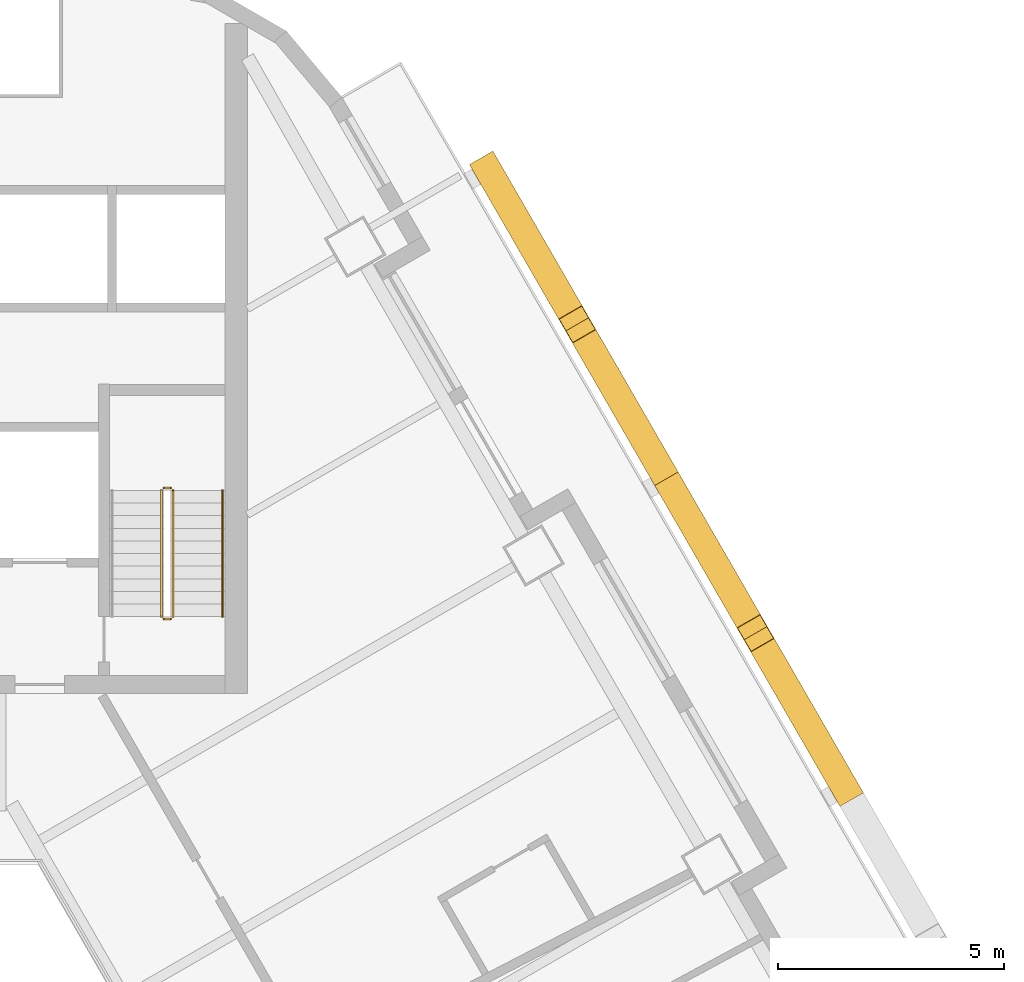
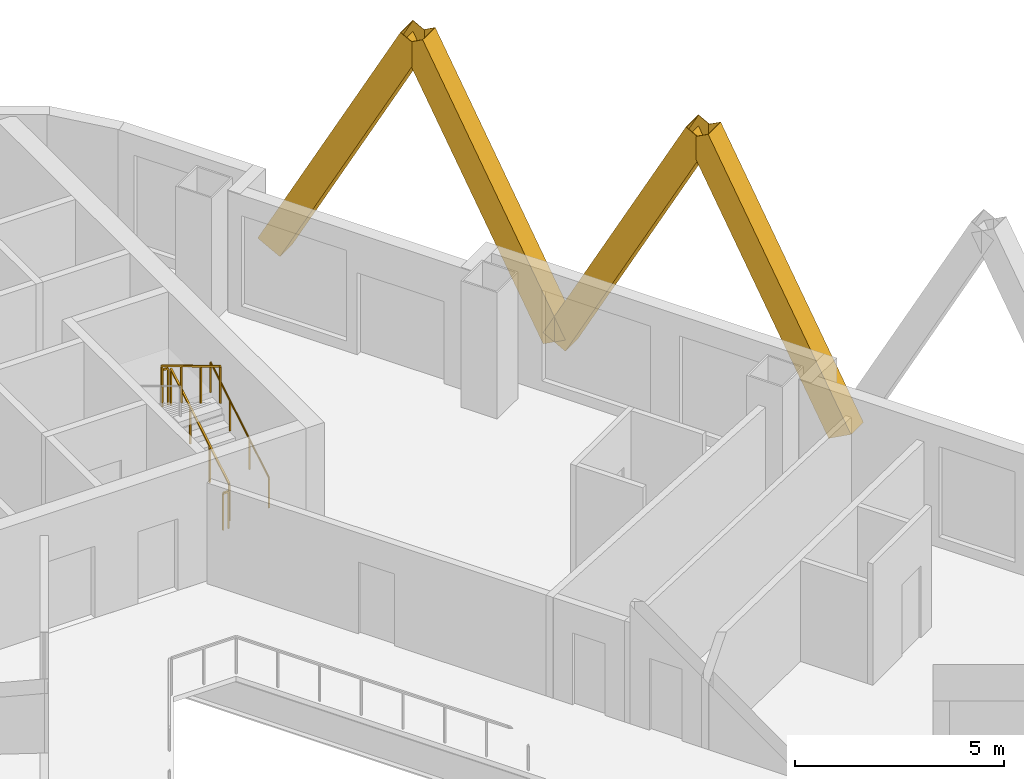
# One storey, part 14 of 14: 5 railings, 4 shading devices.
"""IFC4 building model written with IfcOpenShell, lengths in metres."""

from ifc_helpers import new_model, si_unit, direction, frame, origin, origin_2d, place, context, subcontext, project, spatial, rectangle, hollow_rectangle, circle, extrude, material, material_profile, profile_set, type_object, element, save


model = new_model("IFC4")

# Units and contexts
model_context = context("Model", 3, precision=1e-05, world=origin(), true_north=direction((0.0, 1.0)))
body_context = subcontext(model_context, "Body", "Model", "MODEL_VIEW")
ifc_project = project(units=[si_unit("LENGTHUNIT", "METRE"), si_unit("AREAUNIT", "SQUARE_METRE"), si_unit("VOLUMEUNIT", "CUBIC_METRE"), si_unit("PLANEANGLEUNIT", "RADIAN"), si_unit("MASSUNIT", "GRAM", prefix="KILO")], contexts=[model_context])

# Site, building, storey
site_placement = place(None, origin())
site = spatial("IfcSite", under=ifc_project, at=site_placement, CompositionType="ELEMENT")
building_placement = place(site_placement, origin())
building = spatial("IfcBuilding", under=site, at=building_placement, Name="Apuvela Tower Hotel", CompositionType="ELEMENT")
storey_placement = place(building_placement, frame((0.0, 0.0, 76.10009765625)))
storey = spatial("IfcBuildingStorey", under=building, at=storey_placement, Name="L16", CompositionType="ELEMENT", Elevation=76.10009765625)

# Railings
ifc_material_1 = material(Name="Steel S275 balustrade", Category="steel")
railing_type_1 = type_object("IfcRailingType", Name="COR-GUARD-1100", PredefinedType="GUARDRAIL", material=ifc_material_1)
railing_1_placement = place(storey_placement, frame((3.85009765625, 14.60009765625, 0.16796875)))
element("IfcRailing", 1, at=railing_1_placement, inside=storey, type_object=railing_type_1, Name="L16 ST1 stair guard 1", PredefinedType="GUARDRAIL", context=body_context, shape_type="SweptSolid", body=[
    extrude(rectangle(XDim=0.048095703125, YDim=0.048095703125, at=origin_2d()), frame((0.0, 0.0, 1.076171875), z_axis=(0.0, 0.857222391501, 0.514946377315), x_axis=(-1.0, 0.0, 0.0)), (0.0, 0.0, 1.0), 3.26611328125),
    extrude(rectangle(XDim=0.0419921875, YDim=0.0419921875, at=origin_2d()), origin(), (0.0, 0.0, 1.0), 1.052001953125),
    extrude(rectangle(XDim=0.0419921875, YDim=0.0419921875, at=origin_2d()), frame((0.0, 0.933349609375, 0.560546875)), (0.0, 0.0, 1.0), 1.052001953125),
    extrude(rectangle(XDim=0.0419921875, YDim=0.0419921875, at=origin_2d()), frame((0.0, 1.866455078125, 1.121337890625)), (0.0, 0.0, 1.0), 1.052001953125),
    extrude(rectangle(XDim=0.0419921875, YDim=0.0419921875, at=origin_2d()), frame((0.0, 2.7998046875, 1.681884765625)), (0.0, 0.0, 1.0), 1.052001953125),
])
railing_2_placement = place(storey_placement, frame((3.800048828125, 17.449951171875, 1.849853515625)))
element("IfcRailing", 2, at=railing_2_placement, inside=storey, type_object=railing_type_1, Name="L16 ST1 stair guard 2", PredefinedType="GUARDRAIL", context=body_context, shape_type="SweptSolid", body=[
    extrude(rectangle(XDim=0.048095703125, YDim=0.048095703125, at=origin_2d()), frame((0.0, 0.0, 1.076171875), z_axis=(-1.0, 0.0, 0.0), x_axis=(0.0, -1.0, 0.0)), (0.0, 0.0, 1.0), 0.150146484375),
    extrude(rectangle(XDim=0.0419921875, YDim=0.0419921875, at=origin_2d()), origin(), (0.0, 0.0, 1.0), 1.052001953125),
    extrude(rectangle(XDim=0.0419921875, YDim=0.0419921875, at=origin_2d()), frame((-0.150146484375, 0.0, 0.0)), (0.0, 0.0, 1.0), 1.052001953125),
])
railing_3_placement = place(storey_placement, frame((3.60009765625, 17.39990234375, 2.01806640625)))
element("IfcRailing", 3, at=railing_3_placement, inside=storey, type_object=railing_type_1, Name="L16 ST1 stair guard 3", PredefinedType="GUARDRAIL", context=body_context, shape_type="SweptSolid", body=[
    extrude(rectangle(XDim=0.048095703125, YDim=0.048095703125, at=origin_2d()), frame((0.0, 0.0, 1.076171875), z_axis=(0.0, -0.857222391501, 0.514946377315), x_axis=(1.0, 0.0, 0.0)), (0.0, 0.0, 1.0), 3.26611328125),
    extrude(rectangle(XDim=0.0419921875, YDim=0.0419921875, at=origin_2d()), origin(), (0.0, 0.0, 1.0), 1.052001953125),
    extrude(rectangle(XDim=0.0419921875, YDim=0.0419921875, at=origin_2d()), frame((0.0, -0.933349609375, 0.560546875)), (0.0, 0.0, 1.0), 1.052001953125),
    extrude(rectangle(XDim=0.0419921875, YDim=0.0419921875, at=origin_2d()), frame((0.0, -1.866455078125, 1.121337890625)), (0.0, 0.0, 1.0), 1.052001953125),
    extrude(rectangle(XDim=0.0419921875, YDim=0.0419921875, at=origin_2d()), frame((0.0, -2.7998046875, 1.681884765625)), (0.0, 0.0, 1.0), 1.052001953125),
])
railing_4_placement = place(storey_placement, frame((3.800048828125, 14.550048828125, 0.0)))
element("IfcRailing", 4, at=railing_4_placement, inside=storey, type_object=railing_type_1, Name="L16 ST1 stair guard 4", PredefinedType="GUARDRAIL", context=body_context, shape_type="SweptSolid", body=[
    extrude(rectangle(XDim=0.048095703125, YDim=0.048095703125, at=origin_2d()), frame((0.0, 0.0, 1.076171875), z_axis=(-1.0, 0.0, 0.0), x_axis=(0.0, -1.0, 0.0)), (0.0, 0.0, 1.0), 0.150146484375),
    extrude(rectangle(XDim=0.0419921875, YDim=0.0419921875, at=origin_2d()), origin(), (0.0, 0.0, 1.0), 1.052001953125),
    extrude(rectangle(XDim=0.0419921875, YDim=0.0419921875, at=origin_2d()), frame((-0.150146484375, 0.0, 0.0)), (0.0, 0.0, 1.0), 1.052001953125),
])
ifc_material_2 = material(Name="Stainless steel 316 handrail", Category="steel")
railing_type_2 = type_object("IfcRailingType", Name="COR-HANDRAIL-900", PredefinedType="HANDRAIL", material=ifc_material_2)
railing_5_placement = place(storey_placement, frame((4.949951171875, 14.60009765625, 0.16796875)))
element("IfcRailing", 5, at=railing_5_placement, inside=storey, type_object=railing_type_2, Name="L16 ST1 stair handrail 1", PredefinedType="HANDRAIL", context=body_context, shape_type="SweptSolid", body=[
    extrude(circle(Radius=0.02392578125, at=origin_2d()), frame((0.0, 0.0, 0.8759765625), z_axis=(0.0, 0.857222391501, 0.514946377315), x_axis=(-1.0, 0.0, 0.0)), (0.0, 0.0, 1.0), 3.26611328125),
    extrude(rectangle(XDim=0.0419921875, YDim=0.0419921875, at=origin_2d()), origin(), (0.0, 0.0, 1.0), 0.851806640625),
    extrude(rectangle(XDim=0.0419921875, YDim=0.0419921875, at=origin_2d()), frame((0.0, 0.933349609375, 0.560546875)), (0.0, 0.0, 1.0), 0.851806640625),
    extrude(rectangle(XDim=0.0419921875, YDim=0.0419921875, at=origin_2d()), frame((0.0, 1.866455078125, 1.121337890625)), (0.0, 0.0, 1.0), 0.851806640625),
    extrude(rectangle(XDim=0.0419921875, YDim=0.0419921875, at=origin_2d()), frame((0.0, 2.7998046875, 1.681884765625)), (0.0, 0.0, 1.0), 0.851806640625),
])

# Shading devices
ifc_material_3 = material(Name="Aluminium 6063-T6, black anodised", Category="aluminium")
ifc_material_profile = material_profile(ifc_material_3, hollow_rectangle(XDim=0.60009765625, YDim=0.699951171875, WallThickness=0.011962890625, at=origin_2d()), Name="AL BOX 700x600x12")
ifc_profile_set = profile_set([ifc_material_profile], Name="Aluminium 6063-T6, black anodised")
shading_device_type = type_object("IfcShadingDeviceType", Name="ENV-FIN-700x600", PredefinedType="USERDEFINED", material=ifc_profile_set)
for number, where, z_axis, x_axis, name in (
    (6, (18.732177734375, 10.81494140625, -0.10009765625), (-0.235461085354, 0.407822092458, 0.882178677019), (-0.866020906874, -0.500007788796, 0.0), "Lattice fin NE85"),
    (7, (14.781982421875, 17.656494140625, -0.10009765625), (0.235463880167, -0.407797827568, 0.882189148067), (0.866005453737, 0.500034552904, 0.0), "Lattice fin NE86"),
    (8, (14.781982421875, 17.656494140625, -0.10009765625), (-0.235433593518, 0.407824887177, 0.882184722404), (-0.866047669374, -0.499961432884, 0.0), "Lattice fin NE87"),
    (9, (10.83203125, 24.498291015625, -0.10009765625), (0.235461085354, -0.407822092458, 0.882178677019), (0.866020906874, 0.500007788796, 0.0), "Lattice fin NE88"),
):
    element("IfcShadingDevice", number, at=place(storey_placement, frame(where, z_axis=z_axis, x_axis=x_axis)), inside=storey, type_object=shading_device_type, Name=name, ObjectType="FIN", PredefinedType="USERDEFINED", context=body_context, shape_type="SweptSolid", body=[
        extrude(hollow_rectangle(XDim=0.60009765625, YDim=0.699951171875, WallThickness=0.011962890625, at=origin_2d()), origin(), (0.0, 0.0, 1.0), 8.38818359375),
    ])

save(model, "model.ifc")
